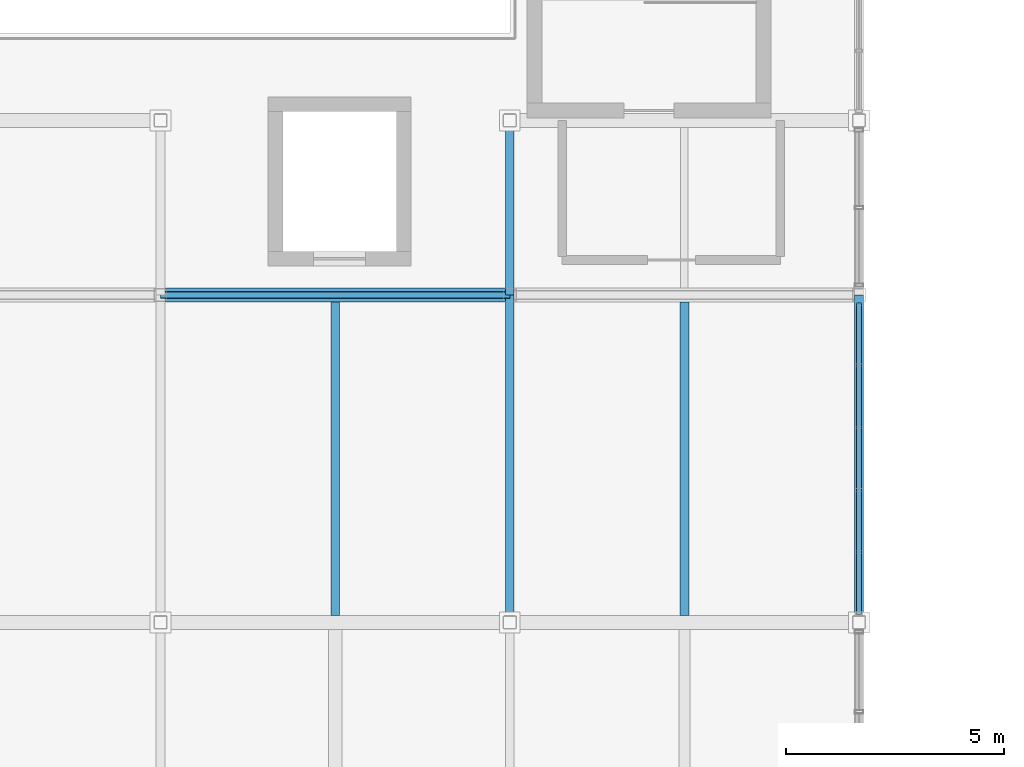
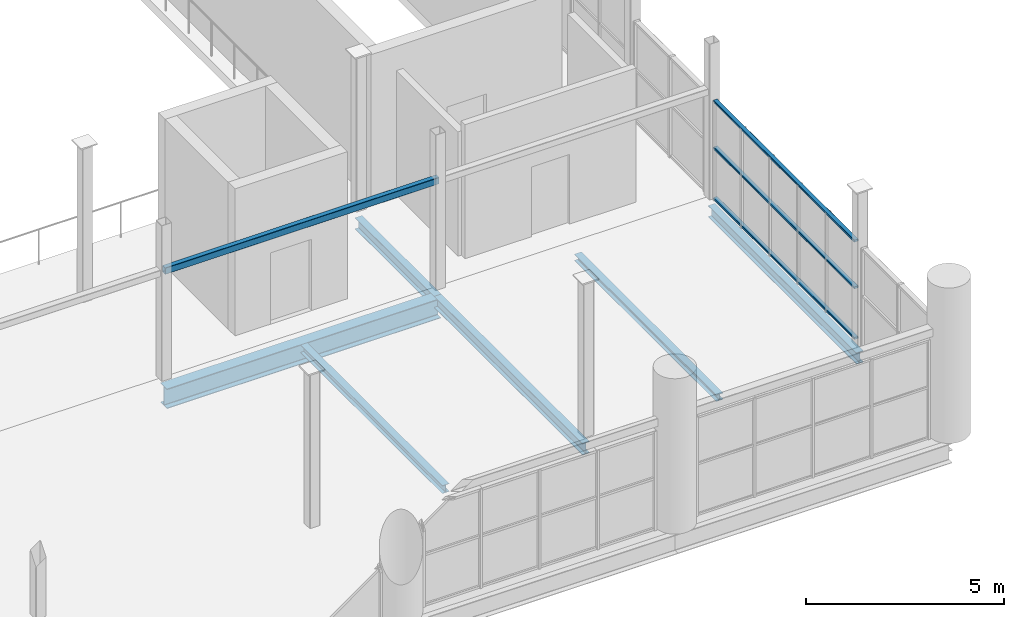
# One storey, part 34 of 114: 7 beams, 3 members, 1 element without a shape of its own.
"""IFC4 building model written with IfcOpenShell, lengths in metres."""

from ifc_helpers import new_model, si_unit, direction, frame, origin, origin_2d, place, context, subcontext, project, spatial, hollow_rectangle, i_section, extrude, material, material_profile, profile_set, type_object, element, aggregate, save


model = new_model("IFC4")

# Units and contexts
model_context = context("Model", 3, precision=1e-05, world=origin(), true_north=direction((0.0, 1.0)))
body_context = subcontext(model_context, "Body", "Model", "MODEL_VIEW")
ifc_project = project(units=[si_unit("LENGTHUNIT", "METRE"), si_unit("AREAUNIT", "SQUARE_METRE"), si_unit("VOLUMEUNIT", "CUBIC_METRE"), si_unit("PLANEANGLEUNIT", "RADIAN"), si_unit("MASSUNIT", "GRAM", prefix="KILO")], contexts=[model_context])

# Site, building, storey
site_placement = place(None, origin())
site = spatial("IfcSite", under=ifc_project, at=site_placement, CompositionType="ELEMENT")
building_placement = place(site_placement, origin())
building = spatial("IfcBuilding", under=site, at=building_placement, Name="Verrall Gate Interchange", CompositionType="ELEMENT")
storey_placement = place(building_placement, frame((0.0, 0.0, 6.60009765625)))
storey = spatial("IfcBuildingStorey", under=building, at=storey_placement, Name="L02", CompositionType="ELEMENT", Elevation=6.60009765625)

# Beams
ifc_material_1 = material(Name="Structural Steel CSA G40.21 350WT Cat 4", Category="steel")
ifc_material_profile_1 = material_profile(ifc_material_1, i_section(OverallWidth=0.323974609375, OverallDepth=0.611083984375, WebThickness=0.0126953125, FlangeThickness=0.01904296875, FilletRadius=0.014892578125, at=origin_2d()), Name="W610x155")
ifc_profile_set_1 = profile_set([ifc_material_profile_1], Name="Structural Steel CSA G40.21 350WT Cat 4")
beam_type_1 = type_object("IfcBeamType", Name="B-08 Structural Beam W610x155", PredefinedType="BEAM", material=ifc_profile_set_1)
beam_1_placement = place(storey_placement, frame((92.0, 12.0, -0.585693359375), z_axis=(1.0, 0.0, 0.0), x_axis=(0.0, 1.0, 0.0)))
element("IfcBeam", 1, at=beam_1_placement, inside=storey, type_object=beam_type_1, Name="L02 Girder BM-L02-1479 (B-08)", PredefinedType="BEAM", context=body_context, shape_type="SweptSolid", body=[
    extrude(i_section(OverallWidth=0.323974609375, OverallDepth=0.611083984375, WebThickness=0.0126953125, FlangeThickness=0.01904296875, FilletRadius=0.014892578125, at=origin_2d()), origin(), (0.0, 0.0, 1.0), 8.0),
])
ifc_material_2 = material(Name="Structural Steel CSA G40.21 350W", Category="steel")
ifc_material_profile_2 = material_profile(ifc_material_2, i_section(OverallWidth=0.205078125, OverallDepth=0.35400390625, WebThickness=0.009521484375, FlangeThickness=0.016845703125, FilletRadius=0.012939453125, at=origin_2d()), Name="W360x79")
ifc_profile_set_2 = profile_set([ifc_material_profile_2], Name="Structural Steel CSA G40.21 350W")
beam_type_2 = type_object("IfcBeamType", Name="B-14 Structural Beam W360x79", PredefinedType="BEAM", material=ifc_profile_set_2)
beam_2_placement = place(storey_placement, frame((100.0, 4.5, -0.45703125), z_axis=(0.0, 1.0, 0.0), x_axis=(-1.0, 0.0, 0.0)))
element("IfcBeam", 2, at=beam_2_placement, inside=storey, type_object=beam_type_2, Name="L02 Girder BM-L02-1767 (B-14)", PredefinedType="BEAM", context=body_context, shape_type="SweptSolid", body=[
    extrude(i_section(OverallWidth=0.205078125, OverallDepth=0.35400390625, WebThickness=0.009521484375, FlangeThickness=0.016845703125, FilletRadius=0.012939453125, at=origin_2d()), origin(), (0.0, 0.0, 1.0), 7.5),
])
beam_3_placement = place(storey_placement, frame((100.0, 12.0, -0.45703125), z_axis=(0.0, 1.0, 0.0), x_axis=(-1.0, 0.0, 0.0)))
element("IfcBeam", 3, at=beam_3_placement, inside=storey, type_object=beam_type_2, Name="L02 Girder BM-L02-1768 (B-14)", PredefinedType="BEAM", context=body_context, shape_type="SweptSolid", body=[
    extrude(i_section(OverallWidth=0.205078125, OverallDepth=0.35400390625, WebThickness=0.009521484375, FlangeThickness=0.016845703125, FilletRadius=0.012939453125, at=origin_2d()), origin(), (0.0, 0.0, 1.0), 4.0),
])
beam_4_placement = place(storey_placement, frame((108.0, 4.5, -0.45703125), z_axis=(0.0, 1.0, 0.0), x_axis=(-1.0, 0.0, 0.0)))
element("IfcBeam", 4, at=beam_4_placement, inside=storey, type_object=beam_type_2, Name="L02 Girder BM-L02-1772 (B-14)", PredefinedType="BEAM", context=body_context, shape_type="SweptSolid", body=[
    extrude(i_section(OverallWidth=0.205078125, OverallDepth=0.35400390625, WebThickness=0.009521484375, FlangeThickness=0.016845703125, FilletRadius=0.012939453125, at=origin_2d()), origin(), (0.0, 0.0, 1.0), 7.5),
])

# Curtain wall, members
ifc_material_3 = material(Name="Thermally Broken Anodized Aluminium Curtain Wall Framing", Category="aluminium")
curtain_wall_type = type_object("IfcCurtainWallType", Name="CW-16 Unitized Curtain Wall 7131x3070", PredefinedType="NOTDEFINED", material=ifc_material_3)
curtain_wall_placement = place(storey_placement, origin())
curtain_wall = element("IfcCurtainWall", 5, at=curtain_wall_placement, inside=storey, type_object=curtain_wall_type, Name="L02 Unitized Curtain Wall CW-L02-062", PredefinedType="NOTDEFINED")
ifc_material_4 = material(Name="Thermally Broken Anodized Aluminium Curtain Wall Framing", Category="aluminium")
ifc_material_profile_3 = material_profile(ifc_material_4, hollow_rectangle(XDim=0.1201171875, YDim=0.06494140625, WallThickness=0.00390625, InnerFilletRadius=0.00390625, OuterFilletRadius=0.008056640625, at=origin_2d()), Name="CWT120x65x4")
ifc_profile_set_3 = profile_set([ifc_material_profile_3], Name="Thermally Broken Anodized Aluminium Curtain Wall Framing")
member_type = type_object("IfcMemberType", Name="CT-01 Curtain Transom CWT120x65x4", PredefinedType="USERDEFINED", material=ifc_profile_set_3)
member_1_placement = place(storey_placement, frame((108.0, 4.6845703125, 0.032470703125), z_axis=(0.0, 1.0, 0.0), x_axis=(-1.0, 0.0, 0.0)))
member_1 = element("IfcMember", 6, at=member_1_placement, type_object=member_type, Name="CW-L02-062 Transom 1", ObjectType="TRANSOM", PredefinedType="USERDEFINED", context=body_context, shape_type="SweptSolid", body=[
    extrude(hollow_rectangle(XDim=0.1201171875, YDim=0.06494140625, WallThickness=0.00390625, InnerFilletRadius=0.00390625, OuterFilletRadius=0.008056640625, at=origin_2d()), origin(), (0.0, 0.0, 1.0), 7.130859375),
])
member_2_placement = place(storey_placement, frame((108.0, 4.6845703125, 1.59619140625), z_axis=(0.0, 1.0, 0.0), x_axis=(-1.0, 0.0, 0.0)))
member_2 = element("IfcMember", 7, at=member_2_placement, type_object=member_type, Name="CW-L02-062 Transom 2", ObjectType="TRANSOM", PredefinedType="USERDEFINED", context=body_context, shape_type="SweptSolid", body=[
    extrude(hollow_rectangle(XDim=0.1201171875, YDim=0.06494140625, WallThickness=0.00390625, InnerFilletRadius=0.00390625, OuterFilletRadius=0.008056640625, at=origin_2d()), origin(), (0.0, 0.0, 1.0), 7.130859375),
])
member_3_placement = place(storey_placement, frame((108.0, 4.6845703125, 3.037353515625), z_axis=(0.0, 1.0, 0.0), x_axis=(-1.0, 0.0, 0.0)))
member_3 = element("IfcMember", 8, at=member_3_placement, type_object=member_type, Name="CW-L02-062 Transom 3", ObjectType="TRANSOM", PredefinedType="USERDEFINED", context=body_context, shape_type="SweptSolid", body=[
    extrude(hollow_rectangle(XDim=0.1201171875, YDim=0.06494140625, WallThickness=0.00390625, InnerFilletRadius=0.00390625, OuterFilletRadius=0.008056640625, at=origin_2d()), origin(), (0.0, 0.0, 1.0), 7.130859375),
])
aggregate(curtain_wall, [member_1, member_2, member_3])

# Beams
ifc_material_5 = material(Name="Structural Steel CSA G40.21 350W", Category="steel")
ifc_material_profile_4 = material_profile(ifc_material_5, i_section(OverallWidth=0.201904296875, OverallDepth=0.2470703125, WebThickness=0.00732421875, FlangeThickness=0.010986328125, FilletRadius=0.010986328125, at=origin_2d()), Name="W250x49")
ifc_profile_set_4 = profile_set([ifc_material_profile_4], Name="Structural Steel CSA G40.21 350W")
beam_type_3 = type_object("IfcBeamType", Name="J-06 Floor Joist W250x49", PredefinedType="JOIST", material=ifc_profile_set_4)
beam_5_placement = place(storey_placement, frame((96.0, 4.662109375, -0.403564453125), z_axis=(0.0, 1.0, 0.0), x_axis=(-1.0, 0.0, 0.0)))
element("IfcBeam", 9, at=beam_5_placement, inside=storey, type_object=beam_type_3, Name="L02 Secondary Floor Joist JST-L02-1865", PredefinedType="JOIST", context=body_context, shape_type="SweptSolid", body=[
    extrude(i_section(OverallWidth=0.201904296875, OverallDepth=0.2470703125, WebThickness=0.00732421875, FlangeThickness=0.010986328125, FilletRadius=0.010986328125, at=origin_2d()), origin(), (0.0, 0.0, 1.0), 7.17578125),
])
ifc_material_6 = material(Name="Structural Steel CSA G40.21 350W", Category="steel")
ifc_material_profile_5 = material_profile(ifc_material_6, i_section(OverallWidth=0.202880859375, OverallDepth=0.202880859375, WebThickness=0.007080078125, FlangeThickness=0.010986328125, FilletRadius=0.010009765625, at=origin_2d()), Name="W200x46")
ifc_profile_set_5 = profile_set([ifc_material_profile_5], Name="Structural Steel CSA G40.21 350W")
beam_type_4 = type_object("IfcBeamType", Name="J-07 Floor Joist W200x46", PredefinedType="JOIST", material=ifc_profile_set_5)
beam_6_placement = place(storey_placement, frame((104.0, 4.662109375, -0.381591796875), z_axis=(0.0, 1.0, 0.0), x_axis=(-1.0, 0.0, 0.0)))
element("IfcBeam", 10, at=beam_6_placement, inside=storey, type_object=beam_type_4, Name="L02 Secondary Floor Joist JST-L02-1866", PredefinedType="JOIST", context=body_context, shape_type="SweptSolid", body=[
    extrude(i_section(OverallWidth=0.202880859375, OverallDepth=0.202880859375, WebThickness=0.007080078125, FlangeThickness=0.010986328125, FilletRadius=0.010009765625, at=origin_2d()), origin(), (0.0, 0.0, 1.0), 7.17578125),
])
ifc_material_7 = material(Name="Structural Steel CSA G40.21 350W", Category="steel")
ifc_material_profile_6 = material_profile(ifc_material_7, hollow_rectangle(XDim=0.152099609375, YDim=0.202880859375, WallThickness=0.008056640625, InnerFilletRadius=0.008056640625, OuterFilletRadius=0.015869140625, at=origin_2d()), Name="HSS203x152x8.0")
ifc_profile_set_6 = profile_set([ifc_material_profile_6], Name="Structural Steel CSA G40.21 350W")
beam_type_5 = type_object("IfcBeamType", Name="LN-02 Portal Lintel HSS203x152x8.0", PredefinedType="LINTEL", material=ifc_profile_set_6)
beam_7_placement = place(storey_placement, frame((92.0, 12.0, 3.2998046875), z_axis=(1.0, 0.0, 0.0), x_axis=(0.0, 1.0, 0.0)))
element("IfcBeam", 11, at=beam_7_placement, inside=storey, type_object=beam_type_5, Name="Classical Portal Lintel 034", PredefinedType="LINTEL", context=body_context, shape_type="SweptSolid", body=[
    extrude(hollow_rectangle(XDim=0.152099609375, YDim=0.202880859375, WallThickness=0.008056640625, InnerFilletRadius=0.008056640625, OuterFilletRadius=0.015869140625, at=origin_2d()), origin(), (0.0, 0.0, 1.0), 8.0),
])

save(model, "model.ifc")
